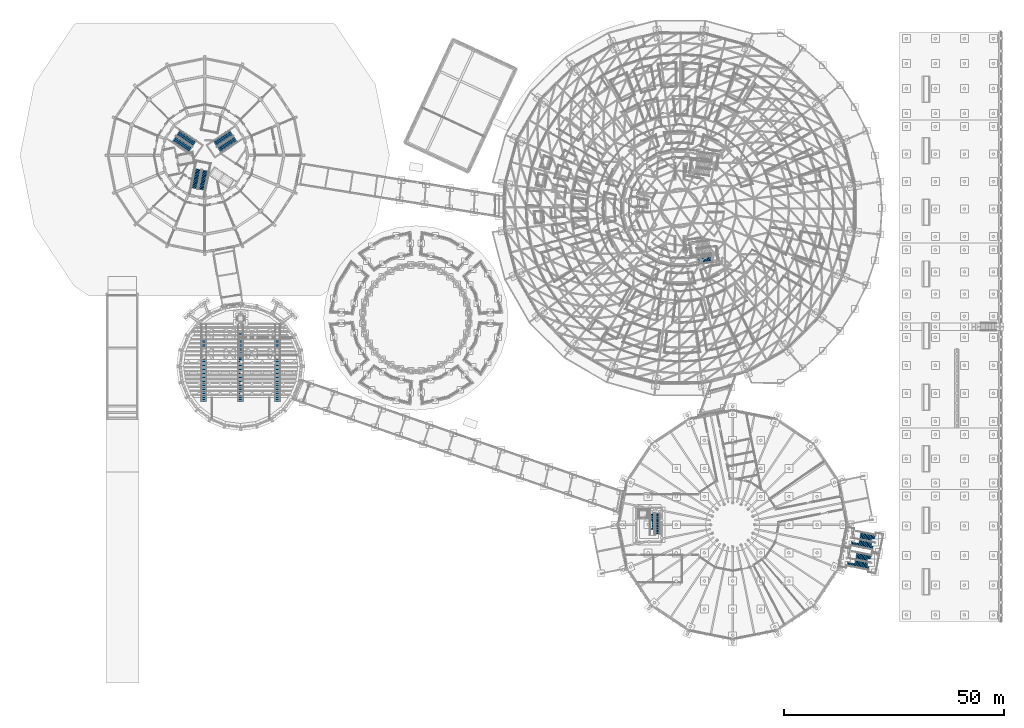
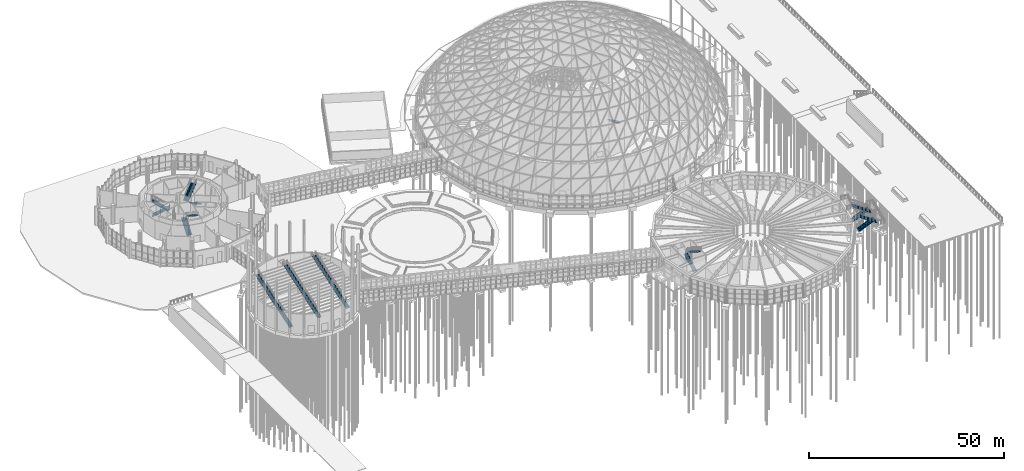
# One storey, part 182 of 226: 16 stair flights, 10 elements without a shape of their own.
"""IFC4 building model written with IfcOpenShell, lengths in metres."""

import ifcopenshell
import ifcopenshell.guid

model = None  # the IFC model being written
_history = None  # IfcOwnerHistory: only IFC2X3 demands one
_inside = {}  # id of a spatial element -> (the spatial element, [elements in it])
_under = {}  # id of a project, library or spatial element -> (it, [spatial elements below it])
_declared = {}  # id of a project -> (the project, [libraries it declares])
_typed = {}  # id of a type object -> (the type object, [elements of that type])
_made_of = {}  # id of a material, layer set ... -> (it, [elements and type objects made of it])


def new_model(schema):
    """Start an empty IFC model of exactly this schema.

    Asked for "IFC4X3", IfcOpenShell would pick the latest addendum, in which some entities
    have other attributes; the version numbers below select the first issue.
    IFC2X3 requires an IfcOwnerHistory on every rooted entity: one is made here for all.
    """
    global model, _history
    if schema == "IFC4X3":
        model = ifcopenshell.file(schema_version=(4, 3, 0, 0))
    else:
        model = ifcopenshell.file(schema=schema)
    _inside.clear()
    _under.clear()
    _declared.clear()
    _typed.clear()
    _made_of.clear()
    _history = None
    if model.schema == "IFC2X3":
        org = make("IfcOrganization", Name="unknown")
        user = make(
            "IfcPersonAndOrganization",
            ThePerson=make("IfcPerson", FamilyName="unknown"),
            TheOrganization=org,
        )
        app = make(
            "IfcApplication",
            ApplicationDeveloper=org,
            Version="unknown",
            ApplicationFullName="unknown",
            ApplicationIdentifier="unknown",
        )
        _history = make(
            "IfcOwnerHistory",
            OwningUser=user,
            OwningApplication=app,
            ChangeAction="ADDED",
            CreationDate=0,
        )
    return model


def make(cls, **values):
    """One entity of the class cls with the attributes given. An attribute that is None is left unset."""
    return model.create_entity(
        cls, **{name: value for name, value in values.items() if value is not None}
    )


def rooted(cls, **values):
    """An entity with a GlobalId (a new one), such as an element, a storey or a relation."""
    return make(cls, GlobalId=ifcopenshell.guid.new(), OwnerHistory=_history, **values)


def si_unit(unit_type, name, prefix=None):
    """IfcSIUnit, for example si_unit("LENGTHUNIT", "METRE", prefix="MILLI")."""
    return make("IfcSIUnit", UnitType=unit_type, Prefix=prefix, Name=name)


def assignment(units):
    """IfcUnitAssignment: the units of a project."""
    return None if units is None else make("IfcUnitAssignment", Units=units)


def point(xyz):
    """IfcCartesianPoint."""
    return None if xyz is None else make("IfcCartesianPoint", Coordinates=xyz)


def direction(xyz):
    """IfcDirection."""
    return None if xyz is None else make("IfcDirection", DirectionRatios=xyz)


def frame(location, z_axis=None, x_axis=None):
    """IfcAxis2Placement3D, a coordinate frame: its origin and axes. An axis left out is left unset."""
    return make(
        "IfcAxis2Placement3D",
        Location=point(location),
        Axis=direction(z_axis),
        RefDirection=direction(x_axis),
    )


def origin():
    """The frame at (0, 0, 0) with its axes left unset."""
    return frame((0.0, 0.0, 0.0))


def place(relative_to, where):
    """IfcLocalPlacement: puts the frame where relative to a parent placement (None: the world)."""
    return make(
        "IfcLocalPlacement", PlacementRelTo=relative_to, RelativePlacement=where
    )


def context(
    kind, dimensions, precision=None, world=None, true_north=None, identifier=None
):
    """IfcGeometricRepresentationContext, for example the 3D "Model" context."""
    return make(
        "IfcGeometricRepresentationContext",
        ContextIdentifier=identifier,
        ContextType=kind,
        CoordinateSpaceDimension=dimensions,
        Precision=precision,
        WorldCoordinateSystem=world,
        TrueNorth=true_north,
    )


def subcontext(parent, identifier, kind, view, scale=None):
    """IfcGeometricRepresentationSubContext, for example "Body" below "Model"."""
    return make(
        "IfcGeometricRepresentationSubContext",
        ContextIdentifier=identifier,
        ContextType=kind,
        ParentContext=parent,
        TargetScale=scale,
        TargetView=view,
    )


def project(units=None, contexts=None):
    """IfcProject with its units and contexts."""
    return rooted(
        "IfcProject",
        Name="project",
        RepresentationContexts=contexts,
        UnitsInContext=assignment(units),
    )


def spatial(cls, under=None, at=None, **own):
    """A site, building, storey or space (cls), placed at a placement, below another one or the project."""
    s = rooted(cls, ObjectPlacement=at, **own)
    if under is not None:
        _under.setdefault(under.id(), (under, []))[1].append(s)
    return s


def polyline(points):
    """IfcPolyline through the points."""
    return make("IfcPolyline", Points=[point(p) for p in points])


def outline(outer, holes=None, kind="AREA"):
    """IfcArbitraryClosedProfileDef: a profile drawn as a closed curve; with holes, ...WithVoids."""
    if holes is None:
        return make("IfcArbitraryClosedProfileDef", ProfileType=kind, OuterCurve=outer)
    return make(
        "IfcArbitraryProfileDefWithVoids",
        ProfileType=kind,
        OuterCurve=outer,
        InnerCurves=holes,
    )


def extrude(swept, where, along, depth):
    """IfcExtrudedAreaSolid: the profile swept, set in the frame where, extruded along a direction by depth."""
    return make(
        "IfcExtrudedAreaSolid",
        SweptArea=swept,
        Position=where,
        ExtrudedDirection=direction(along),
        Depth=depth,
    )


def shape(context_of_items, identifier, shape_type, items):
    """IfcShapeRepresentation: the items that make up one representation, for example the "Body"."""
    return make(
        "IfcShapeRepresentation",
        ContextOfItems=context_of_items,
        RepresentationIdentifier=identifier,
        RepresentationType=shape_type,
        Items=items,
    )


def material(Name=None, Category=None):
    """IfcMaterial."""
    return make("IfcMaterial", Name=Name, Category=Category)


def made_of(thing, what):
    """Note that an element or type object is made of a material, layer set ...; save() writes the relation."""
    if what is not None:
        _made_of.setdefault(what.id(), (what, []))[1].append(thing)
    return thing


def type_object(cls, material=None, **own):
    """A type object (cls), such as IfcWallType, which elements share."""
    return made_of(rooted(cls, **own), material)


def element(
    cls,
    number,
    at=None,
    inside=None,
    cuts=None,
    type_object=None,
    material=None,
    context=None,
    identifier="Body",
    shape_type=None,
    held_by="IfcProductDefinitionShape",
    body=None,
    shapes=None,
    **own,
):
    """One element of the class cls, such as IfcWall. Its Tag is "e" and its number.

    at: its placement. inside: the storey or other place that contains it. cuts: it is an
    opening in that element (IfcRelVoidsElement). A single representation is given by context,
    identifier, shape_type and body (its items); several are given by shapes. held_by: the class
    of the entity that holds the representations. save() writes the other relations.
    """
    e = rooted(cls, Tag="e%d" % number, ObjectPlacement=at, **own)
    if body is not None:
        shapes = [shape(context, identifier, shape_type, body)]
    if shapes is not None:
        e.Representation = make(held_by, Representations=shapes)
    if inside is not None:
        _inside.setdefault(inside.id(), (inside, []))[1].append(e)
    if cuts is not None:
        rooted(
            "IfcRelVoidsElement", RelatingBuildingElement=cuts, RelatedOpeningElement=e
        )
    if type_object is not None:
        _typed.setdefault(type_object.id(), (type_object, []))[1].append(e)
    return made_of(e, material)


def aggregate(whole, parts):
    """IfcRelAggregates: a whole, such as a stair, and the parts it consists of."""
    return rooted("IfcRelAggregates", RelatingObject=whole, RelatedObjects=parts)


def save(model, path):
    """Write the relations noted so far, then the file.

    IfcRelAggregates (storeys below a building ...), IfcRelContainedInSpatialStructure (elements
    in a storey), IfcRelDefinesByType, IfcRelAssociatesMaterial and IfcRelDeclares: one each for
    every whole, place, type object, material and project.
    """
    for whole, parts in _under.values():
        aggregate(whole, parts)
    for where, things in _inside.values():
        rooted(
            "IfcRelContainedInSpatialStructure",
            RelatedElements=things,
            RelatingStructure=where,
        )
    for kind, things in _typed.values():
        rooted("IfcRelDefinesByType", RelatedObjects=things, RelatingType=kind)
    for what, things in _made_of.values():
        rooted("IfcRelAssociatesMaterial", RelatedObjects=things, RelatingMaterial=what)
    for by, libraries in _declared.values():
        rooted("IfcRelDeclares", RelatingContext=by, RelatedDefinitions=libraries)
    model.write(path)


model = new_model("IFC4")

# Units and contexts
model_context = context("Model", 3, precision=1e-05, world=origin(), true_north=direction((0.0, 1.0)))
body_context = subcontext(model_context, "Body", "Model", "MODEL_VIEW")
ifc_project = project(units=[si_unit("LENGTHUNIT", "METRE"), si_unit("AREAUNIT", "SQUARE_METRE"), si_unit("VOLUMEUNIT", "CUBIC_METRE"), si_unit("PLANEANGLEUNIT", "RADIAN"), si_unit("MASSUNIT", "GRAM", prefix="KILO")], contexts=[model_context])

# Site, building, storey
site_placement = place(None, origin())
site = spatial("IfcSite", under=ifc_project, at=site_placement, CompositionType="ELEMENT")
building_placement = place(site_placement, origin())
building = spatial("IfcBuilding", under=site, at=building_placement, Name="Ceibo Conservatory and Research Tower", CompositionType="ELEMENT")
storey_placement = place(building_placement, origin())
storey = spatial("IfcBuildingStorey", under=building, at=storey_placement, Name="L00", CompositionType="ELEMENT", Elevation=0.0)

# Stair, stair flight
ifc_material = material(Name="Concrete C35/45", Category="concrete")
stair_type_1 = type_object("IfcStairType", Name="Aisle stair 1200", PredefinedType="STRAIGHT_RUN_STAIR", material=ifc_material)
stair_1_placement = place(storey_placement, origin())
stair_1 = element("IfcStair", 1, at=stair_1_placement, inside=storey, type_object=stair_type_1, Name="Aisle stair 1", PredefinedType="STRAIGHT_RUN_STAIR")
stair_flight_type_1 = type_object("IfcStairFlightType", Name="Aisle stair flight 1200", PredefinedType="STRAIGHT", material=ifc_material)
stair_flight_1_placement = place(storey_placement, frame((56.18017578125, 64.053466796875, 0.000732421875), z_axis=(0.0, 0.0, 1.0), x_axis=(0.0, 1.0, 0.0)))
stair_flight_1 = element("IfcStairFlight", 2, at=stair_flight_1_placement, type_object=stair_flight_type_1, Name="AUD-ST1 flight 1", NumberOfRisers=40, NumberOfTreads=39, PredefinedType="STRAIGHT", RiserHeight=0.15, TreadLength=0.45, context=body_context, shape_type="SweptSolid", body=[
    extrude(outline(polyline([(0.0, 0.0), (0.0, 0.14990234375), (0.449951171875, 0.14990234375), (0.449951171875, 0.300048828125), (0.89990234375, 0.300048828125), (0.89990234375, 0.449951171875), (1.35009765625, 0.449951171875), (1.35009765625, 0.60009765625), (1.800048828125, 0.60009765625), (1.800048828125, 0.75), (2.25, 0.75), (2.25, 0.89990234375), (2.699951171875, 0.89990234375), (2.699951171875, 1.050048828125), (3.14990234375, 1.050048828125), (3.14990234375, 1.199951171875), (3.60009765625, 1.199951171875), (3.60009765625, 1.35009765625), (4.050048828125, 1.35009765625), (4.050048828125, 1.5), (4.5, 1.5), (4.5, 1.64990234375), (4.949951171875, 1.64990234375), (4.949951171875, 1.800048828125), (5.39990234375, 1.800048828125), (5.39990234375, 1.949951171875), (5.85009765625, 1.949951171875), (5.85009765625, 2.10009765625), (6.300048828125, 2.10009765625), (6.300048828125, 2.25), (6.75, 2.25), (6.75, 2.39990234375), (7.199951171875, 2.39990234375), (7.199951171875, 2.550048828125), (7.64990234375, 2.550048828125), (7.64990234375, 2.699951171875), (8.10009765625, 2.699951171875), (8.10009765625, 2.85009765625), (8.550048828125, 2.85009765625), (8.550048828125, 3.0), (9.0, 3.0), (9.0, 3.14990234375), (9.449951171875, 3.14990234375), (9.449951171875, 3.300048828125), (9.89990234375, 3.300048828125), (9.89990234375, 3.449951171875), (10.35009765625, 3.449951171875), (10.35009765625, 3.60009765625), (10.800048828125, 3.60009765625), (10.800048828125, 3.75), (11.25, 3.75), (11.25, 3.89990234375), (11.699951171875, 3.89990234375), (11.699951171875, 4.050048828125), (12.14990234375, 4.050048828125), (12.14990234375, 4.199951171875), (12.60009765625, 4.199951171875), (12.60009765625, 4.35009765625), (13.050048828125, 4.35009765625), (13.050048828125, 4.5), (13.5, 4.5), (13.5, 4.64990234375), (13.949951171875, 4.64990234375), (13.949951171875, 4.800048828125), (14.39990234375, 4.800048828125), (14.39990234375, 4.949951171875), (14.85009765625, 4.949951171875), (14.85009765625, 5.10009765625), (15.300048828125, 5.10009765625), (15.300048828125, 5.25), (15.75, 5.25), (15.75, 5.39990234375), (16.199951171875, 5.39990234375), (16.199951171875, 5.550048828125), (16.64990234375, 5.550048828125), (16.64990234375, 5.699951171875), (17.10009765625, 5.699951171875), (17.10009765625, 5.85009765625), (17.550048828125, 5.85009765625), (17.550048828125, 6.0), (17.550048828125, 5.848876953125), (0.003173828125, 0.0), (0.0, 0.0)])), frame((0.0, 0.60009765625, 0.0), z_axis=(0.0, -1.0, 0.0), x_axis=(1.0, 0.0, 0.0)), (0.0, 0.0, 1.0), 1.199951171875),
])
aggregate(stair_1, [stair_flight_1])

stair_2_placement = place(storey_placement, origin())
stair_2 = element("IfcStair", 3, at=stair_2_placement, inside=storey, type_object=stair_type_1, Name="Aisle stair 2", PredefinedType="STRAIGHT_RUN_STAIR")
stair_flight_2_placement = place(storey_placement, frame((47.780029296875, 64.053466796875, 0.000732421875), z_axis=(0.0, 0.0, 1.0), x_axis=(0.0, 1.0, 0.0)))
stair_flight_2 = element("IfcStairFlight", 4, at=stair_flight_2_placement, type_object=stair_flight_type_1, Name="AUD-ST2 flight 1", NumberOfRisers=40, NumberOfTreads=39, PredefinedType="STRAIGHT", RiserHeight=0.15, TreadLength=0.45, context=body_context, shape_type="SweptSolid", body=[
    extrude(outline(polyline([(0.0, 0.0), (0.0, 0.14990234375), (0.449951171875, 0.14990234375), (0.449951171875, 0.300048828125), (0.89990234375, 0.300048828125), (0.89990234375, 0.449951171875), (1.35009765625, 0.449951171875), (1.35009765625, 0.60009765625), (1.800048828125, 0.60009765625), (1.800048828125, 0.75), (2.25, 0.75), (2.25, 0.89990234375), (2.699951171875, 0.89990234375), (2.699951171875, 1.050048828125), (3.14990234375, 1.050048828125), (3.14990234375, 1.199951171875), (3.60009765625, 1.199951171875), (3.60009765625, 1.35009765625), (4.050048828125, 1.35009765625), (4.050048828125, 1.5), (4.5, 1.5), (4.5, 1.64990234375), (4.949951171875, 1.64990234375), (4.949951171875, 1.800048828125), (5.39990234375, 1.800048828125), (5.39990234375, 1.949951171875), (5.85009765625, 1.949951171875), (5.85009765625, 2.10009765625), (6.300048828125, 2.10009765625), (6.300048828125, 2.25), (6.75, 2.25), (6.75, 2.39990234375), (7.199951171875, 2.39990234375), (7.199951171875, 2.550048828125), (7.64990234375, 2.550048828125), (7.64990234375, 2.699951171875), (8.10009765625, 2.699951171875), (8.10009765625, 2.85009765625), (8.550048828125, 2.85009765625), (8.550048828125, 3.0), (9.0, 3.0), (9.0, 3.14990234375), (9.449951171875, 3.14990234375), (9.449951171875, 3.300048828125), (9.89990234375, 3.300048828125), (9.89990234375, 3.449951171875), (10.35009765625, 3.449951171875), (10.35009765625, 3.60009765625), (10.800048828125, 3.60009765625), (10.800048828125, 3.75), (11.25, 3.75), (11.25, 3.89990234375), (11.699951171875, 3.89990234375), (11.699951171875, 4.050048828125), (12.14990234375, 4.050048828125), (12.14990234375, 4.199951171875), (12.60009765625, 4.199951171875), (12.60009765625, 4.35009765625), (13.050048828125, 4.35009765625), (13.050048828125, 4.5), (13.5, 4.5), (13.5, 4.64990234375), (13.949951171875, 4.64990234375), (13.949951171875, 4.800048828125), (14.39990234375, 4.800048828125), (14.39990234375, 4.949951171875), (14.85009765625, 4.949951171875), (14.85009765625, 5.10009765625), (15.300048828125, 5.10009765625), (15.300048828125, 5.25), (15.75, 5.25), (15.75, 5.39990234375), (16.199951171875, 5.39990234375), (16.199951171875, 5.550048828125), (16.64990234375, 5.550048828125), (16.64990234375, 5.699951171875), (17.10009765625, 5.699951171875), (17.10009765625, 5.85009765625), (17.550048828125, 5.85009765625), (17.550048828125, 6.0), (17.550048828125, 5.848876953125), (0.003173828125, 0.0), (0.0, 0.0)])), frame((0.0, 0.60009765625, 0.0), z_axis=(0.0, -1.0, 0.0), x_axis=(1.0, 0.0, 0.0)), (0.0, 0.0, 1.0), 1.199951171875),
])
aggregate(stair_2, [stair_flight_2])

stair_3_placement = place(storey_placement, origin())
stair_3 = element("IfcStair", 5, at=stair_3_placement, inside=storey, type_object=stair_type_1, Name="Aisle stair 3", PredefinedType="STRAIGHT_RUN_STAIR")
stair_flight_3_placement = place(storey_placement, frame((64.580078125, 64.053466796875, 0.000732421875), z_axis=(0.0, 0.0, 1.0), x_axis=(0.0, 1.0, 0.0)))
stair_flight_3 = element("IfcStairFlight", 6, at=stair_flight_3_placement, type_object=stair_flight_type_1, Name="AUD-ST3 flight 1", NumberOfRisers=40, NumberOfTreads=39, PredefinedType="STRAIGHT", RiserHeight=0.15, TreadLength=0.45, context=body_context, shape_type="SweptSolid", body=[
    extrude(outline(polyline([(0.0, 0.0), (0.0, 0.14990234375), (0.449951171875, 0.14990234375), (0.449951171875, 0.300048828125), (0.89990234375, 0.300048828125), (0.89990234375, 0.449951171875), (1.35009765625, 0.449951171875), (1.35009765625, 0.60009765625), (1.800048828125, 0.60009765625), (1.800048828125, 0.75), (2.25, 0.75), (2.25, 0.89990234375), (2.699951171875, 0.89990234375), (2.699951171875, 1.050048828125), (3.14990234375, 1.050048828125), (3.14990234375, 1.199951171875), (3.60009765625, 1.199951171875), (3.60009765625, 1.35009765625), (4.050048828125, 1.35009765625), (4.050048828125, 1.5), (4.5, 1.5), (4.5, 1.64990234375), (4.949951171875, 1.64990234375), (4.949951171875, 1.800048828125), (5.39990234375, 1.800048828125), (5.39990234375, 1.949951171875), (5.85009765625, 1.949951171875), (5.85009765625, 2.10009765625), (6.300048828125, 2.10009765625), (6.300048828125, 2.25), (6.75, 2.25), (6.75, 2.39990234375), (7.199951171875, 2.39990234375), (7.199951171875, 2.550048828125), (7.64990234375, 2.550048828125), (7.64990234375, 2.699951171875), (8.10009765625, 2.699951171875), (8.10009765625, 2.85009765625), (8.550048828125, 2.85009765625), (8.550048828125, 3.0), (9.0, 3.0), (9.0, 3.14990234375), (9.449951171875, 3.14990234375), (9.449951171875, 3.300048828125), (9.89990234375, 3.300048828125), (9.89990234375, 3.449951171875), (10.35009765625, 3.449951171875), (10.35009765625, 3.60009765625), (10.800048828125, 3.60009765625), (10.800048828125, 3.75), (11.25, 3.75), (11.25, 3.89990234375), (11.699951171875, 3.89990234375), (11.699951171875, 4.050048828125), (12.14990234375, 4.050048828125), (12.14990234375, 4.199951171875), (12.60009765625, 4.199951171875), (12.60009765625, 4.35009765625), (13.050048828125, 4.35009765625), (13.050048828125, 4.5), (13.5, 4.5), (13.5, 4.64990234375), (13.949951171875, 4.64990234375), (13.949951171875, 4.800048828125), (14.39990234375, 4.800048828125), (14.39990234375, 4.949951171875), (14.85009765625, 4.949951171875), (14.85009765625, 5.10009765625), (15.300048828125, 5.10009765625), (15.300048828125, 5.25), (15.75, 5.25), (15.75, 5.39990234375), (16.199951171875, 5.39990234375), (16.199951171875, 5.550048828125), (16.64990234375, 5.550048828125), (16.64990234375, 5.699951171875), (17.10009765625, 5.699951171875), (17.10009765625, 5.85009765625), (17.550048828125, 5.85009765625), (17.550048828125, 6.0), (17.550048828125, 5.848876953125), (0.003173828125, 0.0), (0.0, 0.0)])), frame((0.0, 0.60009765625, 0.0), z_axis=(0.0, -1.0, 0.0), x_axis=(1.0, 0.0, 0.0)), (0.0, 0.0, 1.0), 1.199951171875),
])
aggregate(stair_3, [stair_flight_3])

# Stair, stair flights
stair_type_2 = type_object("IfcStairType", Name="Escape stair 176 x 280", PredefinedType="HALF_TURN_STAIR", material=ifc_material)
stair_4_placement = place(storey_placement, origin())
stair_4 = element("IfcStair", 7, at=stair_4_placement, inside=storey, type_object=stair_type_2, Name="Escape stair ST1 00", PredefinedType="HALF_TURN_STAIR")
stair_flight_type_2 = type_object("IfcStairFlightType", Name="Escape stair flight 176", PredefinedType="STRAIGHT", material=ifc_material)
stair_flight_4_placement = place(storey_placement, frame((54.991943359375, 123.6796875, 0.0), z_axis=(0.0, 0.0, 1.0), x_axis=(-0.831469612303, -0.55557023302, 0.0)))
stair_flight_4 = element("IfcStairFlight", 8, at=stair_flight_4_placement, type_object=stair_flight_type_2, Name="ST1 flight 1", NumberOfRisers=17, NumberOfTreads=16, PredefinedType="STRAIGHT", RiserHeight=0.176470588, TreadLength=0.28, context=body_context, shape_type="SweptSolid", body=[
    extrude(outline(polyline([(0.0, 0.0), (0.0, 0.176513671875), (0.280029296875, 0.176513671875), (0.280029296875, 0.35302734375), (0.56005859375, 0.35302734375), (0.56005859375, 0.529296875), (0.840087890625, 0.529296875), (0.840087890625, 0.705810546875), (1.1201171875, 0.705810546875), (1.1201171875, 0.88232421875), (1.39990234375, 0.88232421875), (1.39990234375, 1.058837890625), (1.679931640625, 1.058837890625), (1.679931640625, 1.2353515625), (1.9599609375, 1.2353515625), (1.9599609375, 1.411865234375), (2.239990234375, 1.411865234375), (2.239990234375, 1.588134765625), (2.52001953125, 1.588134765625), (2.52001953125, 1.7646484375), (2.800048828125, 1.7646484375), (2.800048828125, 1.941162109375), (3.080078125, 1.941162109375), (3.080078125, 2.11767578125), (3.360107421875, 2.11767578125), (3.360107421875, 2.294189453125), (3.639892578125, 2.294189453125), (3.639892578125, 2.470703125), (3.919921875, 2.470703125), (3.919921875, 2.64697265625), (4.199951171875, 2.64697265625), (4.199951171875, 2.823486328125), (4.47998046875, 2.823486328125), (4.47998046875, 3.0), (4.47998046875, 2.646240234375), (0.28125, 0.0), (0.0, 0.0)])), frame((0.0, 0.75, 0.0), z_axis=(0.0, -1.0, 0.0), x_axis=(1.0, 0.0, 0.0)), (0.0, 0.0, 1.0), 1.5),
])
stair_flight_5_placement = place(storey_placement, frame((50.350341796875, 122.5625, 3.0), z_axis=(0.0, 0.0, 1.0), x_axis=(0.831469612303, 0.55557023302, 0.0)))
stair_flight_5 = element("IfcStairFlight", 9, at=stair_flight_5_placement, type_object=stair_flight_type_2, Name="ST1 flight 2", NumberOfRisers=17, NumberOfTreads=16, PredefinedType="STRAIGHT", RiserHeight=0.176470588, TreadLength=0.28, context=body_context, shape_type="SweptSolid", body=[
    extrude(outline(polyline([(0.0, 0.0), (0.0, 0.176513671875), (0.280029296875, 0.176513671875), (0.280029296875, 0.35302734375), (0.56005859375, 0.35302734375), (0.56005859375, 0.529296875), (0.840087890625, 0.529296875), (0.840087890625, 0.705810546875), (1.1201171875, 0.705810546875), (1.1201171875, 0.88232421875), (1.39990234375, 0.88232421875), (1.39990234375, 1.058837890625), (1.679931640625, 1.058837890625), (1.679931640625, 1.2353515625), (1.9599609375, 1.2353515625), (1.9599609375, 1.411865234375), (2.239990234375, 1.411865234375), (2.239990234375, 1.588134765625), (2.52001953125, 1.588134765625), (2.52001953125, 1.7646484375), (2.800048828125, 1.7646484375), (2.800048828125, 1.941162109375), (3.080078125, 1.941162109375), (3.080078125, 2.11767578125), (3.360107421875, 2.11767578125), (3.360107421875, 2.294189453125), (3.639892578125, 2.294189453125), (3.639892578125, 2.470703125), (3.919921875, 2.470703125), (3.919921875, 2.64697265625), (4.199951171875, 2.64697265625), (4.199951171875, 2.823486328125), (4.47998046875, 2.823486328125), (4.47998046875, 3.0), (4.47998046875, 2.646240234375), (0.28125, 0.0), (0.0, 0.0)])), frame((0.0, 0.75, 0.0), z_axis=(0.0, -1.0, 0.0), x_axis=(1.0, 0.0, 0.0)), (0.0, 0.0, 1.0), 1.5),
])
aggregate(stair_4, [stair_flight_4, stair_flight_5])

stair_5_placement = place(storey_placement, origin())
stair_5 = element("IfcStair", 10, at=stair_5_placement, inside=storey, type_object=stair_type_2, Name="Escape stair ST2 00", PredefinedType="HALF_TURN_STAIR")
stair_flight_6_placement = place(storey_placement, frame((41.9248046875, 125.051513671875, 0.0), z_axis=(0.0, 0.0, 1.0), x_axis=(0.831469612303, -0.55557023302, 0.0)))
stair_flight_6 = element("IfcStairFlight", 11, at=stair_flight_6_placement, type_object=stair_flight_type_2, Name="ST2 flight 1", NumberOfRisers=17, NumberOfTreads=16, PredefinedType="STRAIGHT", RiserHeight=0.176470588, TreadLength=0.28, context=body_context, shape_type="SweptSolid", body=[
    extrude(outline(polyline([(0.0, 0.0), (0.0, 0.176513671875), (0.280029296875, 0.176513671875), (0.280029296875, 0.35302734375), (0.56005859375, 0.35302734375), (0.56005859375, 0.529296875), (0.840087890625, 0.529296875), (0.840087890625, 0.705810546875), (1.1201171875, 0.705810546875), (1.1201171875, 0.88232421875), (1.39990234375, 0.88232421875), (1.39990234375, 1.058837890625), (1.679931640625, 1.058837890625), (1.679931640625, 1.2353515625), (1.9599609375, 1.2353515625), (1.9599609375, 1.411865234375), (2.239990234375, 1.411865234375), (2.239990234375, 1.588134765625), (2.52001953125, 1.588134765625), (2.52001953125, 1.7646484375), (2.800048828125, 1.7646484375), (2.800048828125, 1.941162109375), (3.080078125, 1.941162109375), (3.080078125, 2.11767578125), (3.360107421875, 2.11767578125), (3.360107421875, 2.294189453125), (3.639892578125, 2.294189453125), (3.639892578125, 2.470703125), (3.919921875, 2.470703125), (3.919921875, 2.64697265625), (4.199951171875, 2.64697265625), (4.199951171875, 2.823486328125), (4.47998046875, 2.823486328125), (4.47998046875, 3.0), (4.47998046875, 2.646240234375), (0.28125, 0.0), (0.0, 0.0)])), frame((0.0, 0.75, 0.0), z_axis=(0.0, -1.0, 0.0), x_axis=(1.0, 0.0, 0.0)), (0.0, 0.0, 1.0), 1.5),
])
stair_flight_7_placement = place(storey_placement, frame((44.733154296875, 121.190673828125, 3.0), z_axis=(0.0, 0.0, 1.0), x_axis=(-0.831469612303, 0.55557023302, 0.0)))
stair_flight_7 = element("IfcStairFlight", 12, at=stair_flight_7_placement, type_object=stair_flight_type_2, Name="ST2 flight 2", NumberOfRisers=17, NumberOfTreads=16, PredefinedType="STRAIGHT", RiserHeight=0.176470588, TreadLength=0.28, context=body_context, shape_type="SweptSolid", body=[
    extrude(outline(polyline([(0.0, 0.0), (0.0, 0.176513671875), (0.280029296875, 0.176513671875), (0.280029296875, 0.35302734375), (0.56005859375, 0.35302734375), (0.56005859375, 0.529296875), (0.840087890625, 0.529296875), (0.840087890625, 0.705810546875), (1.1201171875, 0.705810546875), (1.1201171875, 0.88232421875), (1.39990234375, 0.88232421875), (1.39990234375, 1.058837890625), (1.679931640625, 1.058837890625), (1.679931640625, 1.2353515625), (1.9599609375, 1.2353515625), (1.9599609375, 1.411865234375), (2.239990234375, 1.411865234375), (2.239990234375, 1.588134765625), (2.52001953125, 1.588134765625), (2.52001953125, 1.7646484375), (2.800048828125, 1.7646484375), (2.800048828125, 1.941162109375), (3.080078125, 1.941162109375), (3.080078125, 2.11767578125), (3.360107421875, 2.11767578125), (3.360107421875, 2.294189453125), (3.639892578125, 2.294189453125), (3.639892578125, 2.470703125), (3.919921875, 2.470703125), (3.919921875, 2.64697265625), (4.199951171875, 2.64697265625), (4.199951171875, 2.823486328125), (4.47998046875, 2.823486328125), (4.47998046875, 3.0), (4.47998046875, 2.646240234375), (0.28125, 0.0), (0.0, 0.0)])), frame((0.0, 0.75, 0.0), z_axis=(0.0, -1.0, 0.0), x_axis=(1.0, 0.0, 0.0)), (0.0, 0.0, 1.0), 1.5),
])
aggregate(stair_5, [stair_flight_6, stair_flight_7])

stair_6_placement = place(storey_placement, origin())
stair_6 = element("IfcStair", 13, at=stair_6_placement, inside=storey, type_object=stair_type_2, Name="Escape stair ST3 00", PredefinedType="HALF_TURN_STAIR")
stair_flight_8_placement = place(storey_placement, frame((45.657958984375, 112.4541015625, 0.0), z_axis=(0.0, 0.0, 1.0), x_axis=(0.195090322016, 0.980785280403, 0.0)))
stair_flight_8 = element("IfcStairFlight", 14, at=stair_flight_8_placement, type_object=stair_flight_type_2, Name="ST3 flight 1", NumberOfRisers=17, NumberOfTreads=16, PredefinedType="STRAIGHT", RiserHeight=0.176470588, TreadLength=0.28, context=body_context, shape_type="SweptSolid", body=[
    extrude(outline(polyline([(0.0, 0.0), (0.0, 0.176513671875), (0.280029296875, 0.176513671875), (0.280029296875, 0.35302734375), (0.56005859375, 0.35302734375), (0.56005859375, 0.529296875), (0.840087890625, 0.529296875), (0.840087890625, 0.705810546875), (1.1201171875, 0.705810546875), (1.1201171875, 0.88232421875), (1.39990234375, 0.88232421875), (1.39990234375, 1.058837890625), (1.679931640625, 1.058837890625), (1.679931640625, 1.2353515625), (1.9599609375, 1.2353515625), (1.9599609375, 1.411865234375), (2.239990234375, 1.411865234375), (2.239990234375, 1.588134765625), (2.52001953125, 1.588134765625), (2.52001953125, 1.7646484375), (2.800048828125, 1.7646484375), (2.800048828125, 1.941162109375), (3.080078125, 1.941162109375), (3.080078125, 2.11767578125), (3.360107421875, 2.11767578125), (3.360107421875, 2.294189453125), (3.639892578125, 2.294189453125), (3.639892578125, 2.470703125), (3.919921875, 2.470703125), (3.919921875, 2.64697265625), (4.199951171875, 2.64697265625), (4.199951171875, 2.823486328125), (4.47998046875, 2.823486328125), (4.47998046875, 3.0), (4.47998046875, 2.646240234375), (0.28125, 0.0), (0.0, 0.0)])), frame((0.0, 0.75, 0.0), z_axis=(0.0, -1.0, 0.0), x_axis=(1.0, 0.0, 0.0)), (0.0, 0.0, 1.0), 1.5),
])
stair_flight_9_placement = place(storey_placement, frame((48.150146484375, 116.526123046875, 3.0), z_axis=(0.0, 0.0, 1.0), x_axis=(-0.195090322016, -0.980785280403, 0.0)))
stair_flight_9 = element("IfcStairFlight", 15, at=stair_flight_9_placement, type_object=stair_flight_type_2, Name="ST3 flight 2", NumberOfRisers=17, NumberOfTreads=16, PredefinedType="STRAIGHT", RiserHeight=0.176470588, TreadLength=0.28, context=body_context, shape_type="SweptSolid", body=[
    extrude(outline(polyline([(0.0, 0.0), (0.0, 0.176513671875), (0.280029296875, 0.176513671875), (0.280029296875, 0.35302734375), (0.56005859375, 0.35302734375), (0.56005859375, 0.529296875), (0.840087890625, 0.529296875), (0.840087890625, 0.705810546875), (1.1201171875, 0.705810546875), (1.1201171875, 0.88232421875), (1.39990234375, 0.88232421875), (1.39990234375, 1.058837890625), (1.679931640625, 1.058837890625), (1.679931640625, 1.2353515625), (1.9599609375, 1.2353515625), (1.9599609375, 1.411865234375), (2.239990234375, 1.411865234375), (2.239990234375, 1.588134765625), (2.52001953125, 1.588134765625), (2.52001953125, 1.7646484375), (2.800048828125, 1.7646484375), (2.800048828125, 1.941162109375), (3.080078125, 1.941162109375), (3.080078125, 2.11767578125), (3.360107421875, 2.11767578125), (3.360107421875, 2.294189453125), (3.639892578125, 2.294189453125), (3.639892578125, 2.470703125), (3.919921875, 2.470703125), (3.919921875, 2.64697265625), (4.199951171875, 2.64697265625), (4.199951171875, 2.823486328125), (4.47998046875, 2.823486328125), (4.47998046875, 3.0), (4.47998046875, 2.646240234375), (0.28125, 0.0), (0.0, 0.0)])), frame((0.0, 0.75, 0.0), z_axis=(0.0, -1.0, 0.0), x_axis=(1.0, 0.0, 0.0)), (0.0, 0.0, 1.0), 1.5),
])
aggregate(stair_6, [stair_flight_8, stair_flight_9])

stair_type_3 = type_object("IfcStairType", Name="External stair 3400", PredefinedType="DOUBLE_RETURN_STAIR", material=ifc_material)
stair_7_placement = place(storey_placement, origin())
stair_7 = element("IfcStair", 16, at=stair_7_placement, inside=storey, type_object=stair_type_3, Name="Pavilion external stair 1", PredefinedType="DOUBLE_RETURN_STAIR")
stair_flight_type_3 = type_object("IfcStairFlightType", Name="External stair flight 1700", PredefinedType="STRAIGHT", material=ifc_material)
stair_flight_10_placement = place(storey_placement, frame((199.0751953125, 26.55615234375, 2.833251953125), z_axis=(0.0, 0.0, 1.0), x_axis=(-0.980785283808, 0.195090304898, 0.0)))
stair_flight_10 = element("IfcStairFlight", 17, at=stair_flight_10_placement, type_object=stair_flight_type_3, Name="VC-XS1 flight 1", NumberOfRisers=19, NumberOfTreads=18, PredefinedType="STRAIGHT", RiserHeight=0.166666667, TreadLength=0.28, context=body_context, shape_type="SweptSolid", body=[
    extrude(outline(polyline([(0.0, 0.0), (0.0, 0.166748046875), (0.280029296875, 0.166748046875), (0.280029296875, 0.333251953125), (0.56005859375, 0.333251953125), (0.56005859375, 0.5), (0.840087890625, 0.5), (0.840087890625, 0.666748046875), (1.1201171875, 0.666748046875), (1.1201171875, 0.833251953125), (1.39990234375, 0.833251953125), (1.39990234375, 1.0), (1.679931640625, 1.0), (1.679931640625, 1.166748046875), (1.9599609375, 1.166748046875), (1.9599609375, 1.333251953125), (2.239990234375, 1.333251953125), (2.239990234375, 1.5), (2.52001953125, 1.5), (2.52001953125, 1.666748046875), (2.800048828125, 1.666748046875), (2.800048828125, 1.833251953125), (3.080078125, 1.833251953125), (3.080078125, 2.0), (3.360107421875, 2.0), (3.360107421875, 2.166748046875), (3.639892578125, 2.166748046875), (3.639892578125, 2.333251953125), (3.919921875, 2.333251953125), (3.919921875, 2.5), (4.199951171875, 2.5), (4.199951171875, 2.666748046875), (4.47998046875, 2.666748046875), (4.47998046875, 2.833251953125), (4.760009765625, 2.833251953125), (4.760009765625, 3.0), (5.0400390625, 3.0), (5.0400390625, 3.166748046875), (5.0400390625, 2.825439453125), (0.29296875, 0.0), (0.0, 0.0)])), frame((0.0, 0.85009765625, 0.0), z_axis=(0.0, -1.0, 0.0), x_axis=(1.0, 0.0, 0.0)), (0.0, 0.0, 1.0), 1.699951171875),
])
stair_flight_11_placement = place(storey_placement, frame((195.0126953125, 29.097412109375, 0.0), z_axis=(0.0, 0.0, 1.0), x_axis=(0.980785283808, -0.195090304898, 0.0)))
stair_flight_11 = element("IfcStairFlight", 18, at=stair_flight_11_placement, type_object=stair_flight_type_3, Name="VC-XS1 flight 2", NumberOfRisers=17, NumberOfTreads=16, PredefinedType="STRAIGHT", RiserHeight=0.166666667, TreadLength=0.28, context=body_context, shape_type="SweptSolid", body=[
    extrude(outline(polyline([(0.0, 0.0), (0.0, 0.166748046875), (0.280029296875, 0.166748046875), (0.280029296875, 0.333251953125), (0.56005859375, 0.333251953125), (0.56005859375, 0.5), (0.840087890625, 0.5), (0.840087890625, 0.666748046875), (1.1201171875, 0.666748046875), (1.1201171875, 0.833251953125), (1.39990234375, 0.833251953125), (1.39990234375, 1.0), (1.679931640625, 1.0), (1.679931640625, 1.166748046875), (1.9599609375, 1.166748046875), (1.9599609375, 1.333251953125), (2.239990234375, 1.333251953125), (2.239990234375, 1.5), (2.52001953125, 1.5), (2.52001953125, 1.666748046875), (2.800048828125, 1.666748046875), (2.800048828125, 1.833251953125), (3.080078125, 1.833251953125), (3.080078125, 2.0), (3.360107421875, 2.0), (3.360107421875, 2.166748046875), (3.639892578125, 2.166748046875), (3.639892578125, 2.333251953125), (3.919921875, 2.333251953125), (3.919921875, 2.5), (4.199951171875, 2.5), (4.199951171875, 2.666748046875), (4.47998046875, 2.666748046875), (4.47998046875, 2.833251953125), (4.47998046875, 2.4921875), (0.29296875, 0.0), (0.0, 0.0)])), frame((0.0, 0.85009765625, 0.0), z_axis=(0.0, -1.0, 0.0), x_axis=(1.0, 0.0, 0.0)), (0.0, 0.0, 1.0), 1.699951171875),
])
aggregate(stair_7, [stair_flight_10, stair_flight_11])

stair_8_placement = place(storey_placement, origin())
stair_8 = element("IfcStair", 19, at=stair_8_placement, inside=storey, type_object=stair_type_3, Name="Pavilion external stair 2", PredefinedType="DOUBLE_RETURN_STAIR")
stair_flight_12_placement = place(storey_placement, frame((199.991943359375, 31.165771484375, 2.833251953125), z_axis=(0.0, 0.0, 1.0), x_axis=(-0.980785283808, 0.195090304898, 0.0)))
stair_flight_12 = element("IfcStairFlight", 20, at=stair_flight_12_placement, type_object=stair_flight_type_3, Name="VC-XS2 flight 1", NumberOfRisers=19, NumberOfTreads=18, PredefinedType="STRAIGHT", RiserHeight=0.166666667, TreadLength=0.28, context=body_context, shape_type="SweptSolid", body=[
    extrude(outline(polyline([(0.0, 0.0), (0.0, 0.166748046875), (0.280029296875, 0.166748046875), (0.280029296875, 0.333251953125), (0.56005859375, 0.333251953125), (0.56005859375, 0.5), (0.840087890625, 0.5), (0.840087890625, 0.666748046875), (1.1201171875, 0.666748046875), (1.1201171875, 0.833251953125), (1.39990234375, 0.833251953125), (1.39990234375, 1.0), (1.679931640625, 1.0), (1.679931640625, 1.166748046875), (1.9599609375, 1.166748046875), (1.9599609375, 1.333251953125), (2.239990234375, 1.333251953125), (2.239990234375, 1.5), (2.52001953125, 1.5), (2.52001953125, 1.666748046875), (2.800048828125, 1.666748046875), (2.800048828125, 1.833251953125), (3.080078125, 1.833251953125), (3.080078125, 2.0), (3.360107421875, 2.0), (3.360107421875, 2.166748046875), (3.639892578125, 2.166748046875), (3.639892578125, 2.333251953125), (3.919921875, 2.333251953125), (3.919921875, 2.5), (4.199951171875, 2.5), (4.199951171875, 2.666748046875), (4.47998046875, 2.666748046875), (4.47998046875, 2.833251953125), (4.760009765625, 2.833251953125), (4.760009765625, 3.0), (5.0400390625, 3.0), (5.0400390625, 3.166748046875), (5.0400390625, 2.825439453125), (0.29296875, 0.0), (0.0, 0.0)])), frame((0.0, 0.85009765625, 0.0), z_axis=(0.0, -1.0, 0.0), x_axis=(1.0, 0.0, 0.0)), (0.0, 0.0, 1.0), 1.699951171875),
])
stair_flight_13_placement = place(storey_placement, frame((195.9296875, 33.70703125, 0.0), z_axis=(0.0, 0.0, 1.0), x_axis=(0.980785283808, -0.195090304898, 0.0)))
stair_flight_13 = element("IfcStairFlight", 21, at=stair_flight_13_placement, type_object=stair_flight_type_3, Name="VC-XS2 flight 2", NumberOfRisers=17, NumberOfTreads=16, PredefinedType="STRAIGHT", RiserHeight=0.166666667, TreadLength=0.28, context=body_context, shape_type="SweptSolid", body=[
    extrude(outline(polyline([(0.0, 0.0), (0.0, 0.166748046875), (0.280029296875, 0.166748046875), (0.280029296875, 0.333251953125), (0.56005859375, 0.333251953125), (0.56005859375, 0.5), (0.840087890625, 0.5), (0.840087890625, 0.666748046875), (1.1201171875, 0.666748046875), (1.1201171875, 0.833251953125), (1.39990234375, 0.833251953125), (1.39990234375, 1.0), (1.679931640625, 1.0), (1.679931640625, 1.166748046875), (1.9599609375, 1.166748046875), (1.9599609375, 1.333251953125), (2.239990234375, 1.333251953125), (2.239990234375, 1.5), (2.52001953125, 1.5), (2.52001953125, 1.666748046875), (2.800048828125, 1.666748046875), (2.800048828125, 1.833251953125), (3.080078125, 1.833251953125), (3.080078125, 2.0), (3.360107421875, 2.0), (3.360107421875, 2.166748046875), (3.639892578125, 2.166748046875), (3.639892578125, 2.333251953125), (3.919921875, 2.333251953125), (3.919921875, 2.5), (4.199951171875, 2.5), (4.199951171875, 2.666748046875), (4.47998046875, 2.666748046875), (4.47998046875, 2.833251953125), (4.47998046875, 2.4921875), (0.29296875, 0.0), (0.0, 0.0)])), frame((0.0, 0.85009765625, 0.0), z_axis=(0.0, -1.0, 0.0), x_axis=(1.0, 0.0, 0.0)), (0.0, 0.0, 1.0), 1.699951171875),
])
aggregate(stair_8, [stair_flight_12, stair_flight_13])

stair_type_4 = type_object("IfcStairType", Name="Pavilion stair 1100", PredefinedType="STRAIGHT_RUN_STAIR", material=ifc_material)
stair_9_placement = place(storey_placement, origin())
stair_9 = element("IfcStair", 22, at=stair_9_placement, inside=storey, type_object=stair_type_4, Name="Visitor centre terrace stair", PredefinedType="STRAIGHT_RUN_STAIR")
stair_flight_type_4 = type_object("IfcStairFlightType", Name="Pavilion stair flight 1100", PredefinedType="STRAIGHT", material=ifc_material)
stair_flight_14_placement = place(storey_placement, frame((149.699951171875, 33.8798828125, 0.0), z_axis=(0.0, 0.0, 1.0), x_axis=(0.0, 1.0, 0.0)))
stair_flight_14 = element("IfcStairFlight", 23, at=stair_flight_14_placement, type_object=stair_flight_type_4, Name="VC-ST1 flight 1", NumberOfRisers=18, NumberOfTreads=17, PredefinedType="STRAIGHT", RiserHeight=0.166666667, TreadLength=0.28, context=body_context, shape_type="SweptSolid", body=[
    extrude(outline(polyline([(0.0, 0.0), (0.0, 0.166748046875), (0.280029296875, 0.166748046875), (0.280029296875, 0.333251953125), (0.56005859375, 0.333251953125), (0.56005859375, 0.5), (0.840087890625, 0.5), (0.840087890625, 0.666748046875), (1.1201171875, 0.666748046875), (1.1201171875, 0.833251953125), (1.39990234375, 0.833251953125), (1.39990234375, 1.0), (1.679931640625, 1.0), (1.679931640625, 1.166748046875), (1.9599609375, 1.166748046875), (1.9599609375, 1.333251953125), (2.239990234375, 1.333251953125), (2.239990234375, 1.5), (2.52001953125, 1.5), (2.52001953125, 1.666748046875), (2.800048828125, 1.666748046875), (2.800048828125, 1.833251953125), (3.080078125, 1.833251953125), (3.080078125, 2.0), (3.360107421875, 2.0), (3.360107421875, 2.166748046875), (3.639892578125, 2.166748046875), (3.639892578125, 2.333251953125), (3.919921875, 2.333251953125), (3.919921875, 2.5), (4.199951171875, 2.5), (4.199951171875, 2.666748046875), (4.47998046875, 2.666748046875), (4.47998046875, 2.833251953125), (4.760009765625, 2.833251953125), (4.760009765625, 3.0), (4.760009765625, 2.658935546875), (0.29296875, 0.0), (0.0, 0.0)])), frame((0.0, 0.550048828125, 0.0), z_axis=(0.0, -1.0, 0.0), x_axis=(1.0, 0.0, 0.0)), (0.0, 0.0, 1.0), 1.10009765625),
])
stair_flight_15_placement = place(storey_placement, frame((150.949951171875, 38.639892578125, 3.0), z_axis=(0.0, 0.0, 1.0), x_axis=(0.0, -1.0, 0.0)))
stair_flight_15 = element("IfcStairFlight", 24, at=stair_flight_15_placement, type_object=stair_flight_type_4, Name="VC-ST1 flight 2", NumberOfRisers=18, NumberOfTreads=17, PredefinedType="STRAIGHT", RiserHeight=0.166666667, TreadLength=0.28, context=body_context, shape_type="SweptSolid", body=[
    extrude(outline(polyline([(0.0, 0.0), (0.0, 0.166748046875), (0.280029296875, 0.166748046875), (0.280029296875, 0.333251953125), (0.56005859375, 0.333251953125), (0.56005859375, 0.5), (0.840087890625, 0.5), (0.840087890625, 0.666748046875), (1.1201171875, 0.666748046875), (1.1201171875, 0.833251953125), (1.39990234375, 0.833251953125), (1.39990234375, 1.0), (1.679931640625, 1.0), (1.679931640625, 1.166748046875), (1.9599609375, 1.166748046875), (1.9599609375, 1.333251953125), (2.239990234375, 1.333251953125), (2.239990234375, 1.5), (2.52001953125, 1.5), (2.52001953125, 1.666748046875), (2.800048828125, 1.666748046875), (2.800048828125, 1.833251953125), (3.080078125, 1.833251953125), (3.080078125, 2.0), (3.360107421875, 2.0), (3.360107421875, 2.166748046875), (3.639892578125, 2.166748046875), (3.639892578125, 2.333251953125), (3.919921875, 2.333251953125), (3.919921875, 2.5), (4.199951171875, 2.5), (4.199951171875, 2.666748046875), (4.47998046875, 2.666748046875), (4.47998046875, 2.833251953125), (4.760009765625, 2.833251953125), (4.760009765625, 3.0), (4.760009765625, 2.658935546875), (0.29296875, 0.0), (0.0, 0.0)])), frame((0.0, 0.550048828125, 0.0), z_axis=(0.0, -1.0, 0.0), x_axis=(1.0, 0.0, 0.0)), (0.0, 0.0, 1.0), 1.10009765625),
])
aggregate(stair_9, [stair_flight_14, stair_flight_15])

# Stair, stair flight
stair_type_5 = type_object("IfcStairType", Name="Walkway stair 1500", PredefinedType="TWO_STRAIGHT_RUN_STAIR", material=ifc_material)
stair_10_placement = place(storey_placement, origin())
stair_10 = element("IfcStair", 25, at=stair_10_placement, inside=storey, type_object=stair_type_5, Name="Walkway stair 2", PredefinedType="TWO_STRAIGHT_RUN_STAIR")
stair_flight_type_5 = type_object("IfcStairFlightType", Name="Walkway stair flight 1500", PredefinedType="STRAIGHT", material=ifc_material)
stair_flight_16_placement = place(storey_placement, frame((163.265380859375, 96.398193359375, 4.0), z_axis=(0.0, 0.0, 1.0), x_axis=(-0.990268068742, -0.13917310096, 0.0)))
stair_flight_16 = element("IfcStairFlight", 26, at=stair_flight_16_placement, type_object=stair_flight_type_5, Name="WK-ST2 flight 3", NumberOfRisers=12, NumberOfTreads=11, PredefinedType="STRAIGHT", RiserHeight=0.166666667, TreadLength=0.28, context=body_context, shape_type="SweptSolid", body=[
    extrude(outline(polyline([(0.0, 0.0), (0.0, 0.166748046875), (0.280029296875, 0.166748046875), (0.280029296875, 0.333251953125), (0.56005859375, 0.333251953125), (0.56005859375, 0.5), (0.840087890625, 0.5), (0.840087890625, 0.666748046875), (1.1201171875, 0.666748046875), (1.1201171875, 0.833251953125), (1.39990234375, 0.833251953125), (1.39990234375, 1.0), (1.679931640625, 1.0), (1.679931640625, 1.166748046875), (1.9599609375, 1.166748046875), (1.9599609375, 1.333251953125), (2.239990234375, 1.333251953125), (2.239990234375, 1.5), (2.52001953125, 1.5), (2.52001953125, 1.666748046875), (2.800048828125, 1.666748046875), (2.800048828125, 1.833251953125), (3.080078125, 1.833251953125), (3.080078125, 2.0), (3.080078125, 1.658935546875), (0.29296875, 0.0), (0.0, 0.0)])), frame((0.0, 0.75, 0.0), z_axis=(0.0, -1.0, 0.0), x_axis=(1.0, 0.0, 0.0)), (0.0, 0.0, 1.0), 1.5),
])
aggregate(stair_10, [stair_flight_16])

save(model, "model.ifc")
